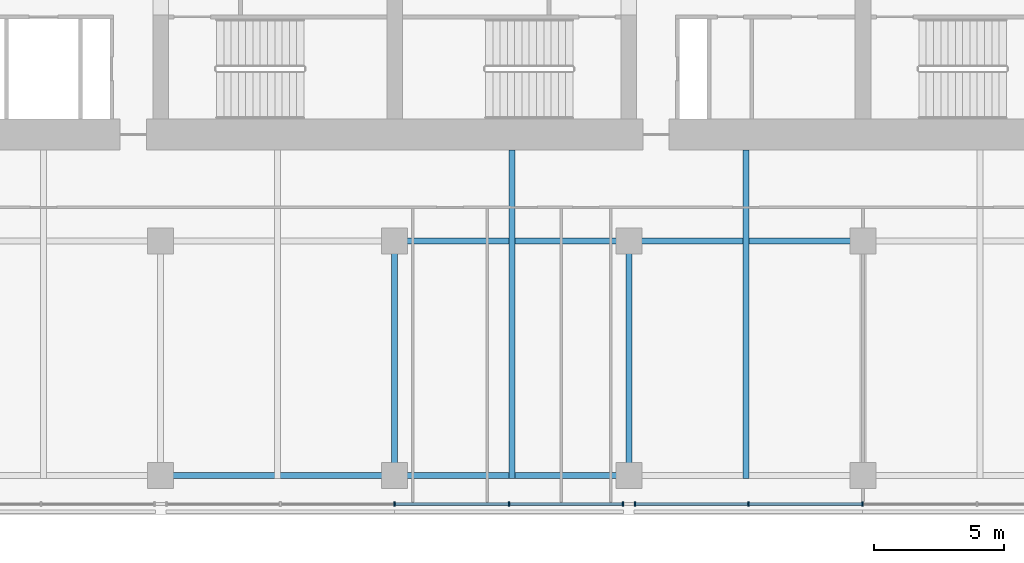
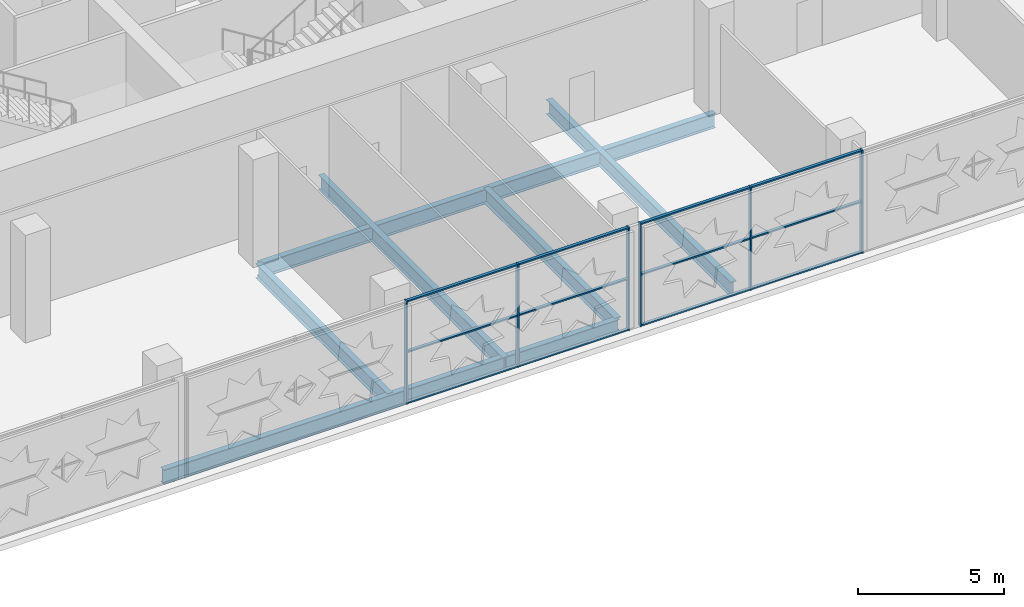
# One storey, part 5 of 24: 18 members, 6 beams, 2 elements without a shape of their own.
"""IFC4 building model written with IfcOpenShell, lengths in metres."""

from ifc_helpers import new_model, si_unit, direction, frame, origin, origin_2d, place, context, subcontext, project, spatial, rectangle, i_section, extrude, material, material_profile, profile_set, type_object, element, aggregate, save


model = new_model("IFC4")

# Units and contexts
model_context = context("Model", 3, precision=1e-05, world=origin(), true_north=direction((0.0, 1.0)))
body_context = subcontext(model_context, "Body", "Model", "MODEL_VIEW")
ifc_project = project(units=[si_unit("LENGTHUNIT", "METRE"), si_unit("AREAUNIT", "SQUARE_METRE"), si_unit("VOLUMEUNIT", "CUBIC_METRE"), si_unit("PLANEANGLEUNIT", "RADIAN"), si_unit("MASSUNIT", "GRAM", prefix="KILO")], contexts=[model_context])

# Site, building, storey
site_placement = place(None, origin())
site = spatial("IfcSite", under=ifc_project, at=site_placement, CompositionType="ELEMENT")
building_placement = place(site_placement, origin())
building = spatial("IfcBuilding", under=site, at=building_placement, Name="Zellij Exchange Tower", CompositionType="ELEMENT")
storey_placement = place(building_placement, frame((0.0, 0.0, 48.0)))
storey = spatial("IfcBuildingStorey", under=building, at=storey_placement, Name="L08", CompositionType="ELEMENT", Elevation=48.0)

# Curtain wall, members
ifc_material_1 = material(Name="Aluminium frame, clear insulating glass", Category="aluminium")
curtain_wall_type = type_object("IfcCurtainWallType", Name="ENV-CW1 Sky-garden glazing", PredefinedType="NOTDEFINED", material=ifc_material_1)
curtain_wall_1_placement = place(storey_placement, origin())
curtain_wall_1 = element("IfcCurtainWall", 1, at=curtain_wall_1_placement, inside=storey, type_object=curtain_wall_type, Name="cw.L08.00b", PredefinedType="NOTDEFINED")
ifc_material_2 = material(Name="Aluminium", Category="aluminium")
ifc_material_profile_1 = material_profile(ifc_material_2, rectangle(XDim=0.06005859375, YDim=0.159912109375, at=origin_2d()), Name="AL 60x160")
ifc_profile_set_1 = profile_set([ifc_material_profile_1], Name="Aluminium")
member_type_1 = type_object("IfcMemberType", Name="ENV-CW1M Mullion 60x160", PredefinedType="MULLION", material=ifc_profile_set_1)
member_1_placement = place(storey_placement, frame((0.0, -27.60009765625, 0.0), z_axis=(0.0, 0.0, 1.0), x_axis=(1.0, 0.0, 0.0)))
member_1 = element("IfcMember", 2, at=member_1_placement, type_object=member_type_1, Name="CW1 mullion 3", PredefinedType="MULLION", context=body_context, shape_type="SweptSolid", body=[
    extrude(rectangle(XDim=0.06005859375, YDim=0.159912109375, at=origin_2d()), origin(), (0.0, 0.0, 1.0), 4.300048828125),
])
member_2_placement = place(storey_placement, frame((4.39990234375, -27.60009765625, 0.0), z_axis=(0.0, 0.0, 1.0), x_axis=(1.0, 0.0, 0.0)))
member_2 = element("IfcMember", 3, at=member_2_placement, type_object=member_type_1, Name="CW1 mullion 4", PredefinedType="MULLION", context=body_context, shape_type="SweptSolid", body=[
    extrude(rectangle(XDim=0.06005859375, YDim=0.159912109375, at=origin_2d()), origin(), (0.0, 0.0, 1.0), 4.300048828125),
])
member_3_placement = place(storey_placement, frame((8.77001953125, -27.60009765625, 0.0), z_axis=(0.0, 0.0, 1.0), x_axis=(1.0, 0.0, 0.0)))
member_3 = element("IfcMember", 4, at=member_3_placement, type_object=member_type_1, Name="CW1 mullion 5", PredefinedType="MULLION", context=body_context, shape_type="SweptSolid", body=[
    extrude(rectangle(XDim=0.06005859375, YDim=0.159912109375, at=origin_2d()), origin(), (0.0, 0.0, 1.0), 4.300048828125),
])

curtain_wall_2_placement = place(storey_placement, origin())
curtain_wall_2 = element("IfcCurtainWall", 5, at=curtain_wall_2_placement, inside=storey, type_object=curtain_wall_type, Name="cw.L08.00c", PredefinedType="NOTDEFINED")
member_4_placement = place(storey_placement, frame((9.22998046875, -27.60009765625, 0.0), z_axis=(0.0, 0.0, 1.0), x_axis=(1.0, 0.0, 0.0)))
member_4 = element("IfcMember", 6, at=member_4_placement, type_object=member_type_1, Name="CW1 mullion 1", PredefinedType="MULLION", context=body_context, shape_type="SweptSolid", body=[
    extrude(rectangle(XDim=0.06005859375, YDim=0.159912109375, at=origin_2d()), origin(), (0.0, 0.0, 1.0), 4.300048828125),
])
member_5_placement = place(storey_placement, frame((13.593505859375, -27.60009765625, 0.0), z_axis=(0.0, 0.0, 1.0), x_axis=(1.0, 0.0, 0.0)))
member_5 = element("IfcMember", 7, at=member_5_placement, type_object=member_type_1, Name="CW1 mullion 2", PredefinedType="MULLION", context=body_context, shape_type="SweptSolid", body=[
    extrude(rectangle(XDim=0.06005859375, YDim=0.159912109375, at=origin_2d()), origin(), (0.0, 0.0, 1.0), 4.300048828125),
])
member_6_placement = place(storey_placement, frame((17.98681640625, -27.60009765625, 0.0), z_axis=(0.0, 0.0, 1.0), x_axis=(1.0, 0.0, 0.0)))
member_6 = element("IfcMember", 8, at=member_6_placement, type_object=member_type_1, Name="CW1 mullion 3", PredefinedType="MULLION", context=body_context, shape_type="SweptSolid", body=[
    extrude(rectangle(XDim=0.06005859375, YDim=0.159912109375, at=origin_2d()), origin(), (0.0, 0.0, 1.0), 4.300048828125),
])

# Member
ifc_material_profile_2 = material_profile(ifc_material_2, rectangle(XDim=0.1201171875, YDim=0.06005859375, at=origin_2d()), Name="AL 120x60")
ifc_profile_set_2 = profile_set([ifc_material_profile_2], Name="Aluminium")
member_type_2 = type_object("IfcMemberType", Name="ENV-CW1T Transom 120x60", PredefinedType="USERDEFINED", material=ifc_profile_set_2)
member_7_placement = place(storey_placement, frame((0.030029296875, -27.60009765625, 0.030029296875), z_axis=(1.0, 0.0, 0.0), x_axis=(0.0, 1.0, 0.0)))
member_7 = element("IfcMember", 9, at=member_7_placement, type_object=member_type_2, Name="CW1 transom 3.1", ObjectType="TRANSOM", PredefinedType="USERDEFINED", context=body_context, shape_type="SweptSolid", body=[
    extrude(rectangle(XDim=0.1201171875, YDim=0.06005859375, at=origin_2d()), origin(), (0.0, 0.0, 1.0), 4.340087890625),
])

member_8_placement = place(storey_placement, frame((0.030029296875, -27.60009765625, 2.14990234375), z_axis=(1.0, 0.0, 0.0), x_axis=(0.0, 1.0, 0.0)))
member_8 = element("IfcMember", 10, at=member_8_placement, type_object=member_type_2, Name="CW1 transom 3.2", ObjectType="TRANSOM", PredefinedType="USERDEFINED", context=body_context, shape_type="SweptSolid", body=[
    extrude(rectangle(XDim=0.1201171875, YDim=0.06005859375, at=origin_2d()), origin(), (0.0, 0.0, 1.0), 4.340087890625),
])

member_9_placement = place(storey_placement, frame((0.030029296875, -27.60009765625, 4.27001953125), z_axis=(1.0, 0.0, 0.0), x_axis=(0.0, 1.0, 0.0)))
member_9 = element("IfcMember", 11, at=member_9_placement, type_object=member_type_2, Name="CW1 transom 3.3", ObjectType="TRANSOM", PredefinedType="USERDEFINED", context=body_context, shape_type="SweptSolid", body=[
    extrude(rectangle(XDim=0.1201171875, YDim=0.06005859375, at=origin_2d()), origin(), (0.0, 0.0, 1.0), 4.340087890625),
])

member_10_placement = place(storey_placement, frame((4.429931640625, -27.60009765625, 0.030029296875), z_axis=(1.0, 0.0, 0.0), x_axis=(0.0, 1.0, 0.0)))
member_10 = element("IfcMember", 12, at=member_10_placement, type_object=member_type_2, Name="CW1 transom 4.1", ObjectType="TRANSOM", PredefinedType="USERDEFINED", context=body_context, shape_type="SweptSolid", body=[
    extrude(rectangle(XDim=0.1201171875, YDim=0.06005859375, at=origin_2d()), origin(), (0.0, 0.0, 1.0), 4.31005859375),
])

member_11_placement = place(storey_placement, frame((4.429931640625, -27.60009765625, 2.14990234375), z_axis=(1.0, 0.0, 0.0), x_axis=(0.0, 1.0, 0.0)))
member_11 = element("IfcMember", 13, at=member_11_placement, type_object=member_type_2, Name="CW1 transom 4.2", ObjectType="TRANSOM", PredefinedType="USERDEFINED", context=body_context, shape_type="SweptSolid", body=[
    extrude(rectangle(XDim=0.1201171875, YDim=0.06005859375, at=origin_2d()), origin(), (0.0, 0.0, 1.0), 4.31005859375),
])

member_12_placement = place(storey_placement, frame((4.429931640625, -27.60009765625, 4.27001953125), z_axis=(1.0, 0.0, 0.0), x_axis=(0.0, 1.0, 0.0)))
member_12 = element("IfcMember", 14, at=member_12_placement, type_object=member_type_2, Name="CW1 transom 4.3", ObjectType="TRANSOM", PredefinedType="USERDEFINED", context=body_context, shape_type="SweptSolid", body=[
    extrude(rectangle(XDim=0.1201171875, YDim=0.06005859375, at=origin_2d()), origin(), (0.0, 0.0, 1.0), 4.31005859375),
])

aggregate(curtain_wall_1, [member_1, member_2, member_3, member_7, member_8, member_9, member_10, member_11, member_12])

member_13_placement = place(storey_placement, frame((9.260009765625, -27.60009765625, 0.030029296875), z_axis=(1.0, 0.0, 0.0), x_axis=(0.0, 1.0, 0.0)))
member_13 = element("IfcMember", 15, at=member_13_placement, type_object=member_type_2, Name="CW1 transom 1.1", ObjectType="TRANSOM", PredefinedType="USERDEFINED", context=body_context, shape_type="SweptSolid", body=[
    extrude(rectangle(XDim=0.1201171875, YDim=0.06005859375, at=origin_2d()), origin(), (0.0, 0.0, 1.0), 4.303466796875),
])

member_14_placement = place(storey_placement, frame((9.260009765625, -27.60009765625, 2.14990234375), z_axis=(1.0, 0.0, 0.0), x_axis=(0.0, 1.0, 0.0)))
member_14 = element("IfcMember", 16, at=member_14_placement, type_object=member_type_2, Name="CW1 transom 1.2", ObjectType="TRANSOM", PredefinedType="USERDEFINED", context=body_context, shape_type="SweptSolid", body=[
    extrude(rectangle(XDim=0.1201171875, YDim=0.06005859375, at=origin_2d()), origin(), (0.0, 0.0, 1.0), 4.303466796875),
])

member_15_placement = place(storey_placement, frame((9.260009765625, -27.60009765625, 4.27001953125), z_axis=(1.0, 0.0, 0.0), x_axis=(0.0, 1.0, 0.0)))
member_15 = element("IfcMember", 17, at=member_15_placement, type_object=member_type_2, Name="CW1 transom 1.3", ObjectType="TRANSOM", PredefinedType="USERDEFINED", context=body_context, shape_type="SweptSolid", body=[
    extrude(rectangle(XDim=0.1201171875, YDim=0.06005859375, at=origin_2d()), origin(), (0.0, 0.0, 1.0), 4.303466796875),
])

member_16_placement = place(storey_placement, frame((13.62353515625, -27.60009765625, 0.030029296875), z_axis=(1.0, 0.0, 0.0), x_axis=(0.0, 1.0, 0.0)))
member_16 = element("IfcMember", 18, at=member_16_placement, type_object=member_type_2, Name="CW1 transom 2.1", ObjectType="TRANSOM", PredefinedType="USERDEFINED", context=body_context, shape_type="SweptSolid", body=[
    extrude(rectangle(XDim=0.1201171875, YDim=0.06005859375, at=origin_2d()), origin(), (0.0, 0.0, 1.0), 4.333251953125),
])

member_17_placement = place(storey_placement, frame((13.62353515625, -27.60009765625, 2.14990234375), z_axis=(1.0, 0.0, 0.0), x_axis=(0.0, 1.0, 0.0)))
member_17 = element("IfcMember", 19, at=member_17_placement, type_object=member_type_2, Name="CW1 transom 2.2", ObjectType="TRANSOM", PredefinedType="USERDEFINED", context=body_context, shape_type="SweptSolid", body=[
    extrude(rectangle(XDim=0.1201171875, YDim=0.06005859375, at=origin_2d()), origin(), (0.0, 0.0, 1.0), 4.333251953125),
])

member_18_placement = place(storey_placement, frame((13.62353515625, -27.60009765625, 4.27001953125), z_axis=(1.0, 0.0, 0.0), x_axis=(0.0, 1.0, 0.0)))
member_18 = element("IfcMember", 20, at=member_18_placement, type_object=member_type_2, Name="CW1 transom 2.3", ObjectType="TRANSOM", PredefinedType="USERDEFINED", context=body_context, shape_type="SweptSolid", body=[
    extrude(rectangle(XDim=0.1201171875, YDim=0.06005859375, at=origin_2d()), origin(), (0.0, 0.0, 1.0), 4.333251953125),
])

aggregate(curtain_wall_2, [member_4, member_5, member_6, member_13, member_14, member_15, member_16, member_17, member_18])

# Beams
ifc_material_3 = material(Name="Structural steel ASTM A992 Gr 50", Category="steel")
ifc_material_profile_3 = material_profile(ifc_material_3, i_section(OverallWidth=0.22900390625, OverallDepth=0.612060546875, WebThickness=0.011962890625, FlangeThickness=0.01953125, at=origin_2d()), Name="W24x84")
ifc_profile_set_3 = profile_set([ifc_material_profile_3], Name="Structural steel ASTM A992 Gr 50")
beam_type_1 = type_object("IfcBeamType", Name="STR-BEAM W24x84", PredefinedType="BEAM", material=ifc_profile_set_3)
for number, where, z_axis, x_axis, name in (
    (21, (4.5, -26.614501953125, -0.55615234375), (0.0, 1.0, 0.0), (-1.0, 0.0, 0.0), "B6"),
    (22, (13.5, -26.614501953125, -0.55615234375), (0.0, 1.0, 0.0), (-1.0, 0.0, 0.0), "B6"),
):
    element("IfcBeam", number, at=place(storey_placement, frame(where, z_axis=z_axis, x_axis=x_axis)), inside=storey, type_object=beam_type_1, Name=name, PredefinedType="BEAM", context=body_context, shape_type="SweptSolid", body=[
        extrude(i_section(OverallWidth=0.22900390625, OverallDepth=0.612060546875, WebThickness=0.011962890625, FlangeThickness=0.01953125, at=origin_2d()), origin(), (0.0, 0.0, 1.0), 12.614501953125),
    ])
ifc_material_profile_4 = material_profile(ifc_material_3, i_section(OverallWidth=0.22900390625, OverallDepth=0.612060546875, WebThickness=0.011962890625, FlangeThickness=0.01953125, at=origin_2d()), Name="W24x84")
ifc_profile_set_4 = profile_set([ifc_material_profile_4], Name="Structural steel ASTM A992 Gr 50")
beam_type_2 = type_object("IfcBeamType", Name="STR-GIRDER W24x84", PredefinedType="BEAM", material=ifc_profile_set_4)
for number, where, z_axis, x_axis, name in (
    (23, (-9.0, -26.5, -0.55615234375), (1.0, 0.0, 0.0), (0.0, 1.0, 0.0), "G4"),
    (24, (0.0, -17.5, -0.55615234375), (1.0, 0.0, 0.0), (0.0, 1.0, 0.0), "G4"),
):
    element("IfcBeam", number, at=place(storey_placement, frame(where, z_axis=z_axis, x_axis=x_axis)), inside=storey, type_object=beam_type_2, Name=name, PredefinedType="BEAM", context=body_context, shape_type="SweptSolid", body=[
        extrude(i_section(OverallWidth=0.22900390625, OverallDepth=0.612060546875, WebThickness=0.011962890625, FlangeThickness=0.01953125, at=origin_2d()), origin(), (0.0, 0.0, 1.0), 18.0),
    ])
for number, where, z_axis, x_axis, name in (
    (25, (0.0, -26.5, -0.55615234375), (0.0, 1.0, 0.0), (-1.0, 0.0, 0.0), "G4"),
    (26, (9.0, -26.5, -0.55615234375), (0.0, 1.0, 0.0), (-1.0, 0.0, 0.0), "G4"),
):
    element("IfcBeam", number, at=place(storey_placement, frame(where, z_axis=z_axis, x_axis=x_axis)), inside=storey, type_object=beam_type_2, Name=name, PredefinedType="BEAM", context=body_context, shape_type="SweptSolid", body=[
        extrude(i_section(OverallWidth=0.22900390625, OverallDepth=0.612060546875, WebThickness=0.011962890625, FlangeThickness=0.01953125, at=origin_2d()), origin(), (0.0, 0.0, 1.0), 9.0),
    ])

save(model, "model.ifc")
